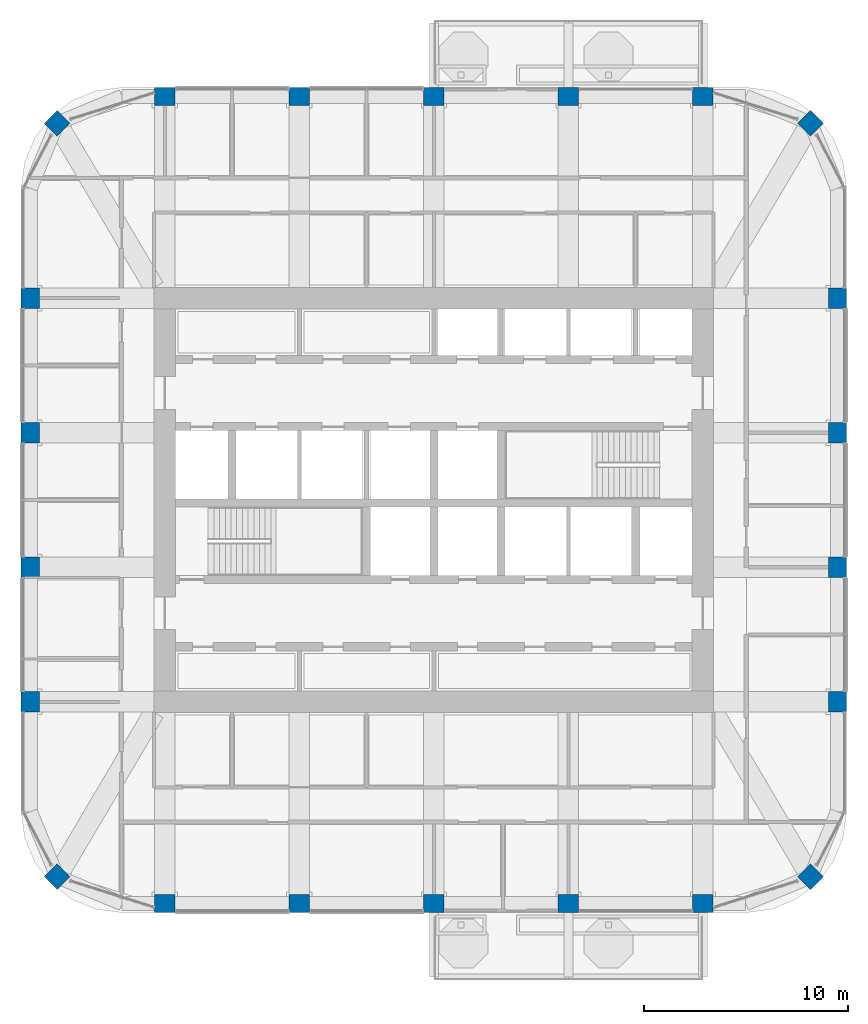
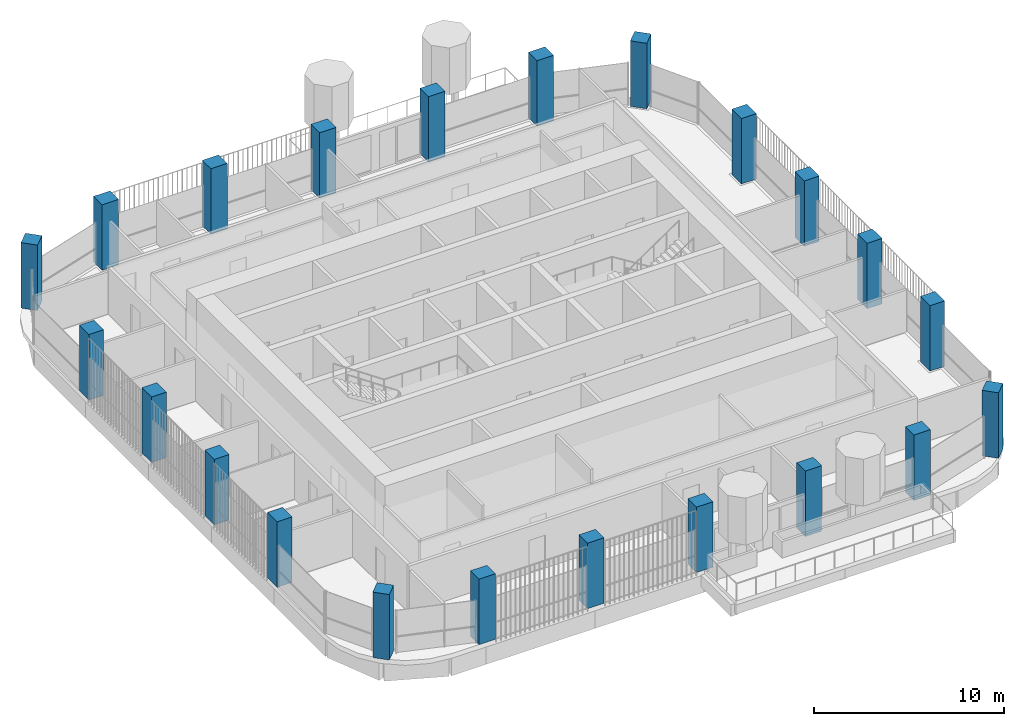
# One storey, part 1 of 21: 22 columns.
"""IFC4 building model written with IfcOpenShell, lengths in metres."""

from ifc_helpers import new_model, si_unit, direction, frame, origin, origin_2d, place, context, subcontext, project, spatial, rectangle, extrude, material, material_profile, profile_set, type_object, element, save


model = new_model("IFC4")

# Units and contexts
model_context = context("Model", 3, precision=1e-05, world=origin(), true_north=direction((0.0, 1.0)))
body_context = subcontext(model_context, "Body", "Model", "MODEL_VIEW")
ifc_project = project(units=[si_unit("LENGTHUNIT", "METRE"), si_unit("AREAUNIT", "SQUARE_METRE"), si_unit("VOLUMEUNIT", "CUBIC_METRE"), si_unit("PLANEANGLEUNIT", "RADIAN"), si_unit("MASSUNIT", "GRAM", prefix="KILO")], contexts=[model_context])

# Site, building, storey
site_placement = place(None, origin())
site = spatial("IfcSite", under=ifc_project, at=site_placement, CompositionType="ELEMENT")
building_placement = place(site_placement, origin())
building = spatial("IfcBuilding", under=site, at=building_placement, Name="Cobogo Forest Laboratory Tower", CompositionType="ELEMENT")
storey_placement = place(building_placement, frame((0.0, 0.0, 267.0)))
storey = spatial("IfcBuildingStorey", under=building, at=storey_placement, Name="L61", CompositionType="ELEMENT", Elevation=267.0)

# Columns
ifc_material = material(Name="Concrete HA-50 (C50/60)", Category="concrete")
ifc_material_profile_1 = material_profile(ifc_material, rectangle(XDim=1.0, YDim=0.89990234375, at=origin_2d()), Name="RC 900x1000")
ifc_profile_set_1 = profile_set([ifc_material_profile_1], Name="Concrete HA-50 (C50/60)")
column_type_1 = type_object("IfcColumnType", Name="Blade column 900x1000", PredefinedType="COLUMN", material=ifc_profile_set_1)
for number, where, z_axis, x_axis, name in (
    (1, (13.199951171875, 3.300048828125, 0.0), (0.0, 0.0, 1.0), (1.0, 0.0, 0.0), "Column 3-A.1 L61"),
    (2, (19.800048828125, 3.300048828125, 0.0), (0.0, 0.0, 1.0), (1.0, 0.0, 0.0), "Column 4-A.1 L61"),
    (3, (26.39990234375, 3.300048828125, 0.0), (0.0, 0.0, 1.0), (1.0, 0.0, 0.0), "Column 5-A.1 L61"),
    (4, (33.0, 3.300048828125, 0.0), (0.0, 0.0, 1.0), (1.0, 0.0, 0.0), "Column 6-A.1 L61"),
    (5, (39.60009765625, 3.300048828125, 0.0), (0.0, 0.0, 1.0), (1.0, 0.0, 0.0), "Column 7-A.1 L61"),
    (6, (6.60009765625, 13.199951171875, 0.0), (0.0, 0.0, 1.0), (0.0, 1.0, 0.0), "Column 2-C L61"),
    (7, (46.199951171875, 13.199951171875, 0.0), (0.0, 0.0, 1.0), (0.0, 1.0, 0.0), "Column 8-C L61"),
    (8, (6.60009765625, 19.800048828125, 0.0), (0.0, 0.0, 1.0), (0.0, 1.0, 0.0), "Column 2-D L61"),
    (9, (46.199951171875, 19.800048828125, 0.0), (0.0, 0.0, 1.0), (0.0, 1.0, 0.0), "Column 8-D L61"),
    (10, (6.60009765625, 26.39990234375, 0.0), (0.0, 0.0, 1.0), (0.0, 1.0, 0.0), "Column 2-E L61"),
    (11, (46.199951171875, 26.39990234375, 0.0), (0.0, 0.0, 1.0), (0.0, 1.0, 0.0), "Column 8-E L61"),
    (12, (6.60009765625, 33.0, 0.0), (0.0, 0.0, 1.0), (0.0, 1.0, 0.0), "Column 2-F L61"),
    (13, (46.199951171875, 33.0, 0.0), (0.0, 0.0, 1.0), (0.0, 1.0, 0.0), "Column 8-F L61"),
    (14, (13.199951171875, 42.89990234375, 0.0), (0.0, 0.0, 1.0), (1.0, 0.0, 0.0), "Column 3-G.1 L61"),
    (15, (19.800048828125, 42.89990234375, 0.0), (0.0, 0.0, 1.0), (1.0, 0.0, 0.0), "Column 4-G.1 L61"),
    (16, (26.39990234375, 42.89990234375, 0.0), (0.0, 0.0, 1.0), (1.0, 0.0, 0.0), "Column 5-G.1 L61"),
    (17, (33.0, 42.89990234375, 0.0), (0.0, 0.0, 1.0), (1.0, 0.0, 0.0), "Column 6-G.1 L61"),
    (18, (39.60009765625, 42.89990234375, 0.0), (0.0, 0.0, 1.0), (1.0, 0.0, 0.0), "Column 7-G.1 L61"),
):
    element("IfcColumn", number, at=place(storey_placement, frame(where, z_axis=z_axis, x_axis=x_axis)), inside=storey, type_object=column_type_1, Name=name, PredefinedType="COLUMN", context=body_context, shape_type="SweptSolid", body=[
        extrude(rectangle(XDim=1.0, YDim=0.89990234375, at=origin_2d()), origin(), (0.0, 0.0, 1.0), 4.199951171875),
    ])
ifc_material_profile_2 = material_profile(ifc_material, rectangle(XDim=0.89990234375, YDim=0.89990234375, at=origin_2d()), Name="RC 900x900")
ifc_profile_set_2 = profile_set([ifc_material_profile_2], Name="Concrete HA-50 (C50/60)")
column_type_2 = type_object("IfcColumnType", Name="Column 900x900", PredefinedType="COLUMN", material=ifc_profile_set_2)
for number, where, z_axis, x_axis, name in (
    (19, (7.91796875, 4.617919921875, 0.0), (0.0, 0.0, 1.0), (0.707106781187, 0.707106781187, 0.0), "Column CNR-SW L61"),
    (20, (44.882080078125, 4.617919921875, 0.0), (0.0, 0.0, 1.0), (0.707106781187, 0.707106781187, 0.0), "Column CNR-SE L61"),
    (21, (7.91796875, 41.58203125, 0.0), (0.0, 0.0, 1.0), (0.707106781187, 0.707106781187, 0.0), "Column CNR-NW L61"),
    (22, (44.882080078125, 41.58203125, 0.0), (0.0, 0.0, 1.0), (0.707106781187, 0.707106781187, 0.0), "Column CNR-NE L61"),
):
    element("IfcColumn", number, at=place(storey_placement, frame(where, z_axis=z_axis, x_axis=x_axis)), inside=storey, type_object=column_type_2, Name=name, PredefinedType="COLUMN", context=body_context, shape_type="SweptSolid", body=[
        extrude(rectangle(XDim=0.89990234375, YDim=0.89990234375, at=origin_2d()), origin(), (0.0, 0.0, 1.0), 4.199951171875),
    ])

save(model, "model.ifc")
